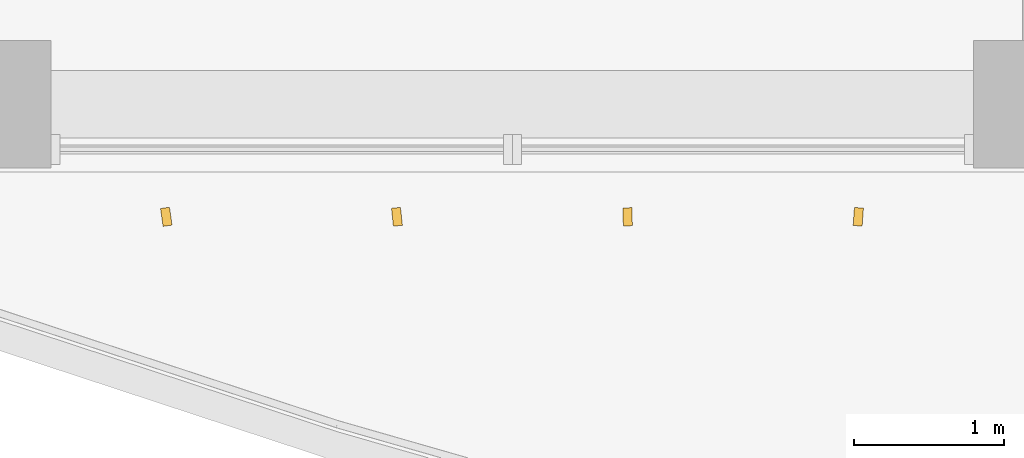
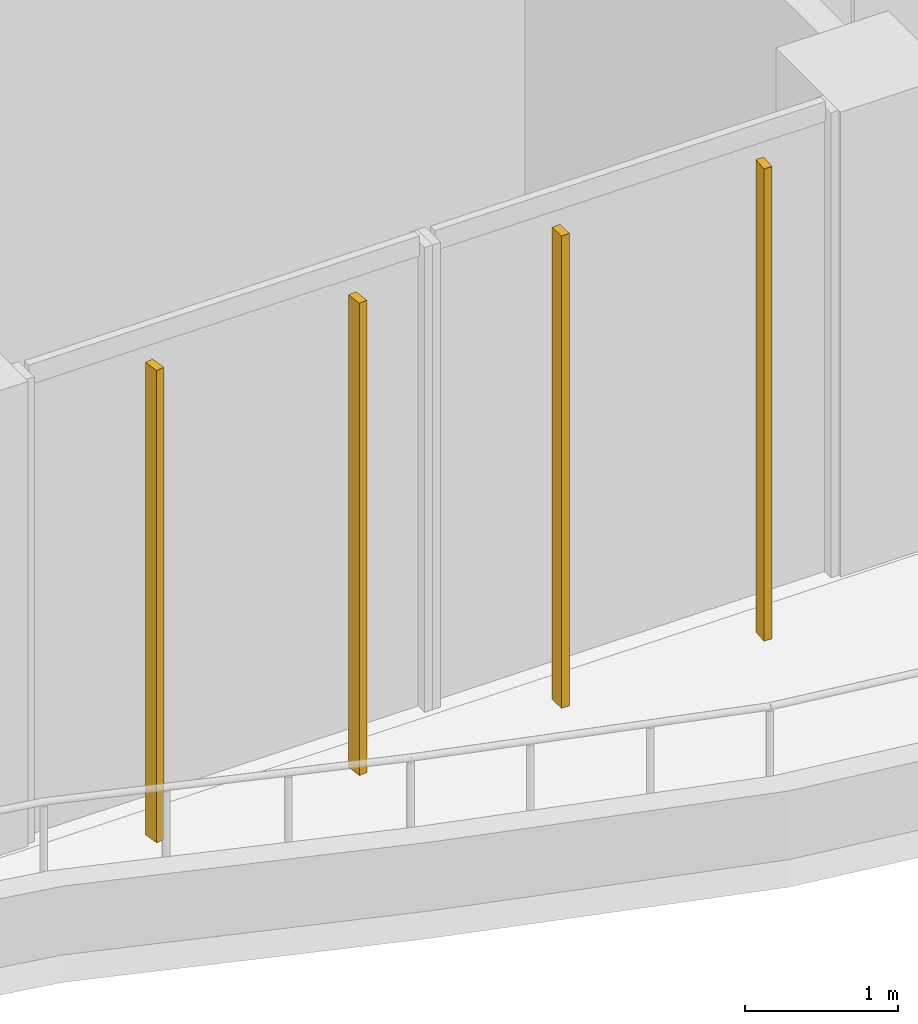
# One storey, part 18 of 26: 4 shading devices.
"""IFC4 building model written with IfcOpenShell, lengths in metres."""

from ifc_helpers import new_model, si_unit, direction, frame, origin, origin_2d, place, context, subcontext, project, spatial, rectangle, extrude, source, transform, mapped, material, material_profile, profile_set, type_object, element, save


model = new_model("IFC4")

# Units and contexts
model_context = context("Model", 3, precision=1e-05, world=origin(), true_north=direction((0.0, 1.0)))
body_context = subcontext(model_context, "Body", "Model", "MODEL_VIEW")
ifc_project = project(units=[si_unit("LENGTHUNIT", "METRE"), si_unit("AREAUNIT", "SQUARE_METRE"), si_unit("VOLUMEUNIT", "CUBIC_METRE"), si_unit("PLANEANGLEUNIT", "RADIAN"), si_unit("MASSUNIT", "GRAM", prefix="KILO")], contexts=[model_context])

# Site, building, storey
site_placement = place(None, origin())
site = spatial("IfcSite", under=ifc_project, at=site_placement, CompositionType="ELEMENT")
building_placement = place(site_placement, origin())
building = spatial("IfcBuilding", under=site, at=building_placement, Name="Kilnfold Tower and Market Hall", CompositionType="ELEMENT")
storey_placement = place(building_placement, frame((0.0, 0.0, 108.60009765625)))
storey = spatial("IfcBuildingStorey", under=building, at=storey_placement, Name="L25", CompositionType="ELEMENT", Elevation=108.60009765625)

# Shading devices
ifc_material = material(Name="Terracotta", Category="masonry")
ifc_material_profile = material_profile(ifc_material, rectangle(XDim=0.06005859375, YDim=0.1201171875, at=origin_2d()), Name="BAG 60x120")
ifc_profile_set = profile_set([ifc_material_profile], Name="Terracotta")
shading_device_type = type_object("IfcShadingDeviceType", Name="BAGUETTE", PredefinedType="USERDEFINED", material=ifc_profile_set)
shared_shape = source(origin(), body_context, "Body", "SweptSolid", [
    extrude(rectangle(XDim=0.06005859375, YDim=0.1201171875, at=origin_2d()), origin(), (0.0, 0.0, 1.0), 3.77978515625),
])
for number, where, z_axis, x_axis, name in (
    (1, (2.69384765625, -23.300048828125, 0.0), (0.0, 0.0, 1.0), (0.990283122923, 0.139065942828, 0.0), "Terracotta baguette L25 S"),
    (2, (4.231201171875, -23.300048828125, 0.0), (0.0, 0.0, 1.0), (0.994586469456, 0.103912245548, 0.0), "Terracotta baguette L25 S"),
    (3, (5.768798828125, -23.300048828125, 0.0), (0.0, 0.0, 1.0), (0.999778411433, 0.021050606442, 0.0), "Terracotta baguette L25 S"),
    (4, (7.30615234375, -23.300048828125, 0.0), (0.0, 0.0, 1.0), (0.997435789037, -0.071567078661, 0.0), "Terracotta baguette L25 S"),
):
    element("IfcShadingDevice", number, at=place(storey_placement, frame(where, z_axis=z_axis, x_axis=x_axis)), inside=storey, type_object=shading_device_type, Name=name, ObjectType="BAGUETTE", PredefinedType="USERDEFINED", context=body_context, shape_type="MappedRepresentation", body=[
        mapped(shared_shape, transform((0.0, 0.0, 0.0))),
    ])

save(model, "model.ifc")
